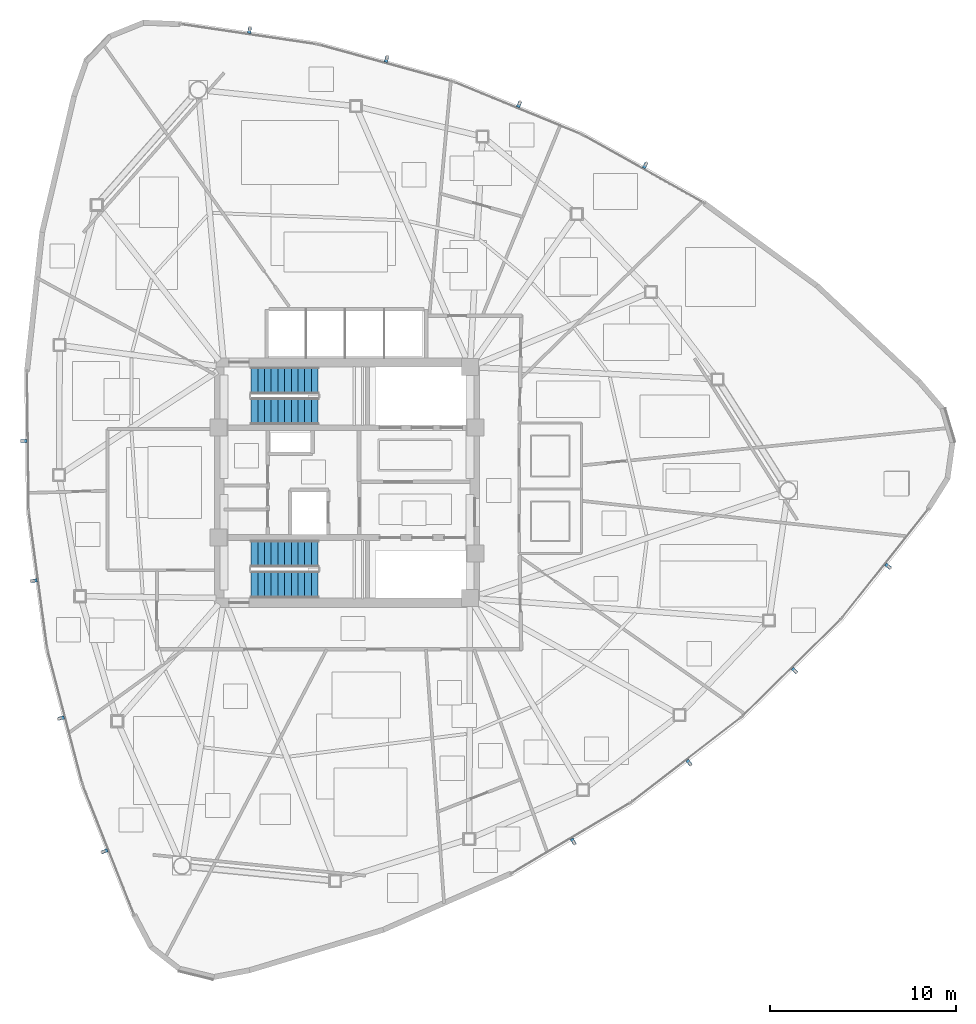
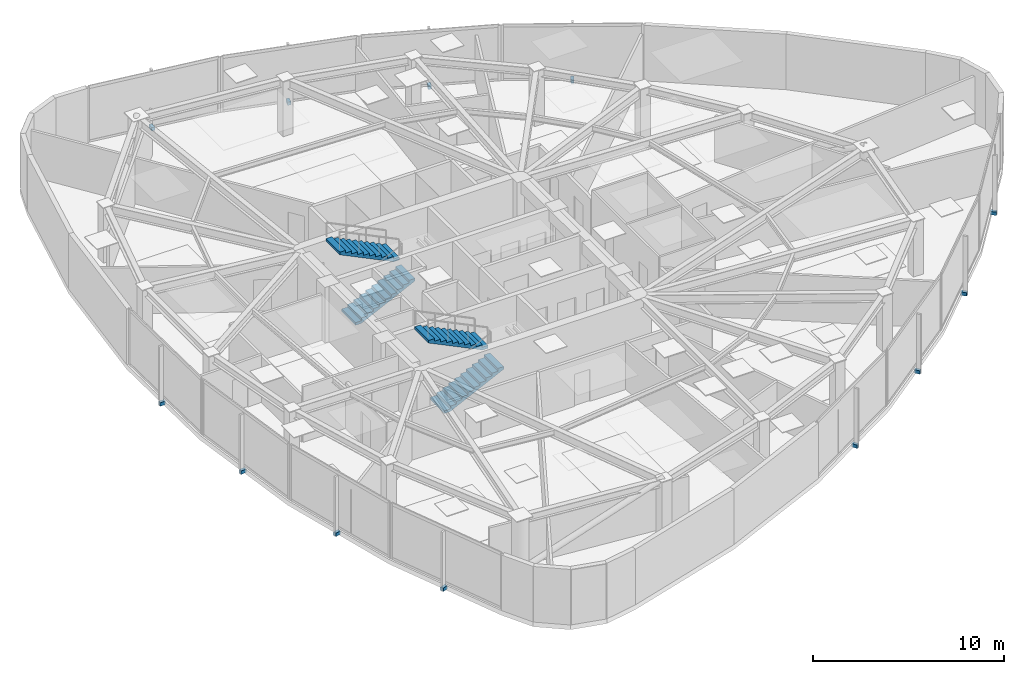
# One storey, part 14 of 18: 12 discrete accessories, 4 stair flights, 2 elements without a shape of their own.
"""IFC4 building model written with IfcOpenShell, lengths in metres."""

from ifc_helpers import new_model, si_unit, direction, frame, origin, origin_2d, place, context, subcontext, project, spatial, polyline, rectangle, outline, extrude, source, transform, mapped, material, type_object, type_shapes, element, aggregate, save


model = new_model("IFC4")

# Units and contexts
model_context = context("Model", 3, precision=1e-05, world=origin(), true_north=direction((0.0, 1.0)))
body_context = subcontext(model_context, "Body", "Model", "MODEL_VIEW")
ifc_project = project(units=[si_unit("LENGTHUNIT", "METRE"), si_unit("AREAUNIT", "SQUARE_METRE"), si_unit("VOLUMEUNIT", "CUBIC_METRE"), si_unit("PLANEANGLEUNIT", "RADIAN"), si_unit("MASSUNIT", "GRAM", prefix="KILO")], contexts=[model_context])

# Site, building, storey
site_placement = place(None, origin())
site = spatial("IfcSite", under=ifc_project, at=site_placement, CompositionType="ELEMENT")
building_placement = place(site_placement, origin())
building = spatial("IfcBuilding", under=site, at=building_placement, Name="Tavelor Broadcast Tower", CompositionType="ELEMENT")
storey_placement = place(building_placement, frame((0.0, 0.0, 177.199951171875)))
storey = spatial("IfcBuildingStorey", under=building, at=storey_placement, Name="L42", CompositionType="ELEMENT", Elevation=177.199951171875)

# Stair, stair flights
ifc_material_1 = material(Name="Concrete C40/50", Category="concrete")
stair_type = type_object("IfcStairType", Name="Reinforced Concrete Protected Dogleg Stair 1450 mm", PredefinedType="HALF_TURN_STAIR", material=ifc_material_1)
stair_1_placement = place(storey_placement, origin())
stair_1 = element("IfcStair", 1, at=stair_1_placement, inside=storey, type_object=stair_type, Name="L42 Protected Core Exit Stair ST1", PredefinedType="HALF_TURN_STAIR")
stair_flight_type = type_object("IfcStairFlightType", Name="Reinforced Concrete Stair Flight 1450 mm", PredefinedType="STRAIGHT", material=ifc_material_1)
stair_flight_1_placement = place(storey_placement, frame((44.85009765625, 48.824951171875, 0.0), z_axis=(0.0, 0.0, 1.0), x_axis=(1.0, 0.0, 0.0)))
stair_flight_1 = element("IfcStairFlight", 2, at=stair_flight_1_placement, type_object=stair_flight_type, Name="ST1 flight 1", NumberOfRisers=11, NumberOfTreads=10, PredefinedType="STRAIGHT", RiserHeight=0.175, TreadLength=0.36, context=body_context, shape_type="SweptSolid", body=[
    extrude(outline(polyline([(0.0, 0.0), (0.0, 0.175048828125), (0.360107421875, 0.175048828125), (0.360107421875, 0.35009765625), (0.719970703125, 0.35009765625), (0.719970703125, 0.52490234375), (1.080078125, 0.52490234375), (1.080078125, 0.699951171875), (1.43994140625, 0.699951171875), (1.43994140625, 0.875), (1.800048828125, 0.875), (1.800048828125, 1.050048828125), (2.159912109375, 1.050048828125), (2.159912109375, 1.22509765625), (2.52001953125, 1.22509765625), (2.52001953125, 1.39990234375), (2.8798828125, 1.39990234375), (2.8798828125, 1.574951171875), (3.239990234375, 1.574951171875), (3.239990234375, 1.75), (3.60009765625, 1.75), (3.60009765625, 1.925048828125), (3.60009765625, 1.583251953125), (0.3427734375, 0.0), (0.0, 0.0)])), frame((0.0, 0.72509765625, 0.0), z_axis=(0.0, -1.0, 0.0), x_axis=(1.0, 0.0, 0.0)), (0.0, 0.0, 1.0), 1.449951171875),
])
stair_flight_2_placement = place(storey_placement, frame((48.449951171875, 50.47509765625, 1.925048828125), z_axis=(0.0, 0.0, 1.0), x_axis=(-1.0, 0.0, 0.0)))
stair_flight_2 = element("IfcStairFlight", 3, at=stair_flight_2_placement, type_object=stair_flight_type, Name="ST1 flight 2", NumberOfRisers=11, NumberOfTreads=10, PredefinedType="STRAIGHT", RiserHeight=0.175, TreadLength=0.36, context=body_context, shape_type="SweptSolid", body=[
    extrude(outline(polyline([(0.0, 0.0), (0.0, 0.175048828125), (0.360107421875, 0.175048828125), (0.360107421875, 0.35009765625), (0.719970703125, 0.35009765625), (0.719970703125, 0.52490234375), (1.080078125, 0.52490234375), (1.080078125, 0.699951171875), (1.43994140625, 0.699951171875), (1.43994140625, 0.875), (1.800048828125, 0.875), (1.800048828125, 1.050048828125), (2.159912109375, 1.050048828125), (2.159912109375, 1.22509765625), (2.52001953125, 1.22509765625), (2.52001953125, 1.39990234375), (2.8798828125, 1.39990234375), (2.8798828125, 1.574951171875), (3.239990234375, 1.574951171875), (3.239990234375, 1.75), (3.60009765625, 1.75), (3.60009765625, 1.925048828125), (3.60009765625, 1.583251953125), (0.3427734375, 0.0), (0.0, 0.0)])), frame((0.0, 0.72509765625, 0.0), z_axis=(0.0, -1.0, 0.0), x_axis=(1.0, 0.0, 0.0)), (0.0, 0.0, 1.0), 1.449951171875),
])
aggregate(stair_1, [stair_flight_1, stair_flight_2])

stair_2_placement = place(storey_placement, origin())
stair_2 = element("IfcStair", 4, at=stair_2_placement, inside=storey, type_object=stair_type, Name="L42 Protected Core Exit Stair ST2", PredefinedType="HALF_TURN_STAIR")
stair_flight_3_placement = place(storey_placement, frame((44.85009765625, 39.52490234375, 0.0), z_axis=(0.0, 0.0, 1.0), x_axis=(1.0, 0.0, 0.0)))
stair_flight_3 = element("IfcStairFlight", 5, at=stair_flight_3_placement, type_object=stair_flight_type, Name="ST2 flight 1", NumberOfRisers=11, NumberOfTreads=10, PredefinedType="STRAIGHT", RiserHeight=0.175, TreadLength=0.36, context=body_context, shape_type="SweptSolid", body=[
    extrude(outline(polyline([(0.0, 0.0), (0.0, 0.175048828125), (0.360107421875, 0.175048828125), (0.360107421875, 0.35009765625), (0.719970703125, 0.35009765625), (0.719970703125, 0.52490234375), (1.080078125, 0.52490234375), (1.080078125, 0.699951171875), (1.43994140625, 0.699951171875), (1.43994140625, 0.875), (1.800048828125, 0.875), (1.800048828125, 1.050048828125), (2.159912109375, 1.050048828125), (2.159912109375, 1.22509765625), (2.52001953125, 1.22509765625), (2.52001953125, 1.39990234375), (2.8798828125, 1.39990234375), (2.8798828125, 1.574951171875), (3.239990234375, 1.574951171875), (3.239990234375, 1.75), (3.60009765625, 1.75), (3.60009765625, 1.925048828125), (3.60009765625, 1.583251953125), (0.3427734375, 0.0), (0.0, 0.0)])), frame((0.0, 0.72509765625, 0.0), z_axis=(0.0, -1.0, 0.0), x_axis=(1.0, 0.0, 0.0)), (0.0, 0.0, 1.0), 1.449951171875),
])
stair_flight_4_placement = place(storey_placement, frame((48.449951171875, 41.175048828125, 1.925048828125), z_axis=(0.0, 0.0, 1.0), x_axis=(-1.0, 0.0, 0.0)))
stair_flight_4 = element("IfcStairFlight", 6, at=stair_flight_4_placement, type_object=stair_flight_type, Name="ST2 flight 2", NumberOfRisers=11, NumberOfTreads=10, PredefinedType="STRAIGHT", RiserHeight=0.175, TreadLength=0.36, context=body_context, shape_type="SweptSolid", body=[
    extrude(outline(polyline([(0.0, 0.0), (0.0, 0.175048828125), (0.360107421875, 0.175048828125), (0.360107421875, 0.35009765625), (0.719970703125, 0.35009765625), (0.719970703125, 0.52490234375), (1.080078125, 0.52490234375), (1.080078125, 0.699951171875), (1.43994140625, 0.699951171875), (1.43994140625, 0.875), (1.800048828125, 0.875), (1.800048828125, 1.050048828125), (2.159912109375, 1.050048828125), (2.159912109375, 1.22509765625), (2.52001953125, 1.22509765625), (2.52001953125, 1.39990234375), (2.8798828125, 1.39990234375), (2.8798828125, 1.574951171875), (3.239990234375, 1.574951171875), (3.239990234375, 1.75), (3.60009765625, 1.75), (3.60009765625, 1.925048828125), (3.60009765625, 1.583251953125), (0.3427734375, 0.0), (0.0, 0.0)])), frame((0.0, 0.72509765625, 0.0), z_axis=(0.0, -1.0, 0.0), x_axis=(1.0, 0.0, 0.0)), (0.0, 0.0, 1.0), 1.449951171875),
])
aggregate(stair_2, [stair_flight_3, stair_flight_4])

# Discrete accessories
ifc_material_2 = material(Name="Steel S355", Category="steel")
discrete_accessory_type = type_object("IfcDiscreteAccessoryType", Name="Stainless Baguette Outrigger Support Bracket 260x180", PredefinedType="BRACKET", material=ifc_material_2)
shared_shape = source(origin(), body_context, "Body", "SweptSolid", [
    extrude(rectangle(XDim=0.179931640625, YDim=0.340087890625, at=origin_2d()), origin(), (0.0, 0.0, 1.0), 0.216064453125),
])
type_shapes(discrete_accessory_type, [shared_shape])
for number, where, z_axis, x_axis, name in (
    (7, (32.649658203125, 47.230224609375, -0.2578125), (0.0, 0.0, 1.0), (0.012740558836, -0.999918835786, 0.0), "L42 Baguette Outrigger Bracket 433"),
    (8, (33.2001953125, 39.733154296875, -0.2578125), (0.0, 0.0, 1.0), (0.133467289485, -0.991053218872, 0.0), "L42 Baguette Outrigger Bracket 434"),
    (9, (34.65380859375, 32.357666015625, -0.2578125), (0.0, 0.0, 1.0), (0.252576015004, -0.967577054629, 0.0), "L42 Baguette Outrigger Bracket 435"),
    (10, (36.989501953125, 25.21240234375, -0.2578125), (0.0, 0.0, 1.0), (0.367799977044, -0.92990492895, 0.0), "L42 Baguette Outrigger Bracket 436"),
    (11, (62.143798828125, 25.7412109375, -0.2578125), (0.0, 0.0, 1.0), (0.859584834096, 0.510993065504, 0.0), "L42 Baguette Outrigger Bracket 437"),
    (12, (68.361083984375, 29.966552734375, -0.2578125), (0.0, 0.0, 1.0), (0.791543619303, 0.611112672705, 0.0), "L42 Baguette Outrigger Bracket 438"),
    (13, (74.021484375, 34.913330078125, -0.2578125), (0.0, 0.0, 1.0), (0.711658301926, 0.702525772694, 0.0), "L42 Baguette Outrigger Bracket 439"),
    (14, (79.041748046875, 40.508544921875, -0.2578125), (0.0, 0.0, 1.0), (0.621421303053, 0.783476588107, 0.0), "L42 Baguette Outrigger Bracket 440"),
    (15, (66.006591796875, 62.028564453125, -0.2578125), (0.0, 0.0, 1.0), (-0.872240046001, 0.489078012338, 0.0), "L42 Baguette Outrigger Bracket 441"),
    (16, (59.23876953125, 65.30029296875, -0.2578125), (0.0, 0.0, 1.0), (-0.925077206834, 0.379779095522, 0.0), "L42 Baguette Outrigger Bracket 442"),
    (17, (52.12451171875, 67.72900390625, -0.2578125), (0.0, 0.0, 1.0), (-0.96423431693, 0.265051281935, 0.0), "L42 Baguette Outrigger Bracket 443"),
    (18, (44.768798828125, 69.27880859375, -0.2578125), (0.0, 0.0, 1.0), (-0.989221280098, 0.146428340844, 0.0), "L42 Baguette Outrigger Bracket 444"),
):
    element("IfcDiscreteAccessory", number, at=place(storey_placement, frame(where, z_axis=z_axis, x_axis=x_axis)), inside=storey, type_object=discrete_accessory_type, Name=name, PredefinedType="BRACKET", context=body_context, shape_type="MappedRepresentation", body=[
        mapped(shared_shape, transform((0.0, 0.0, 0.0), scale=1.0)),
    ])

save(model, "model.ifc")
